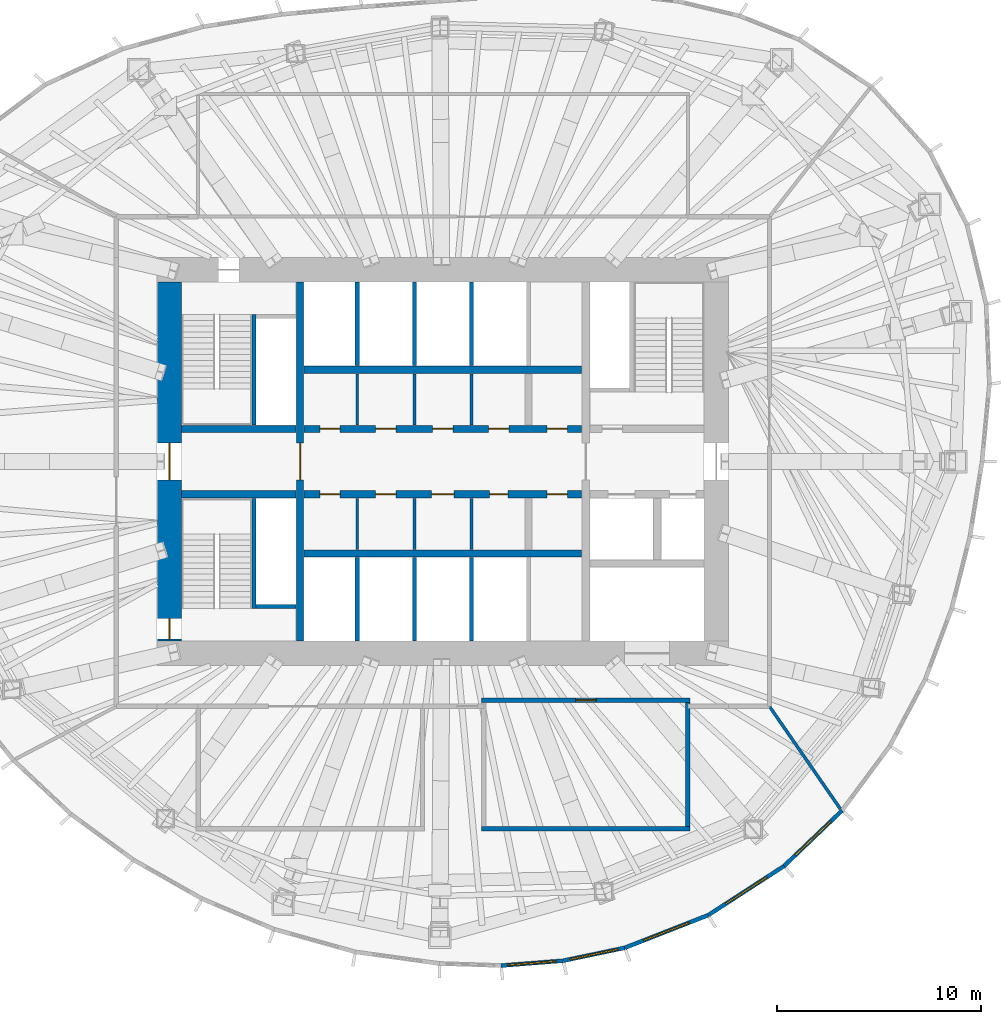
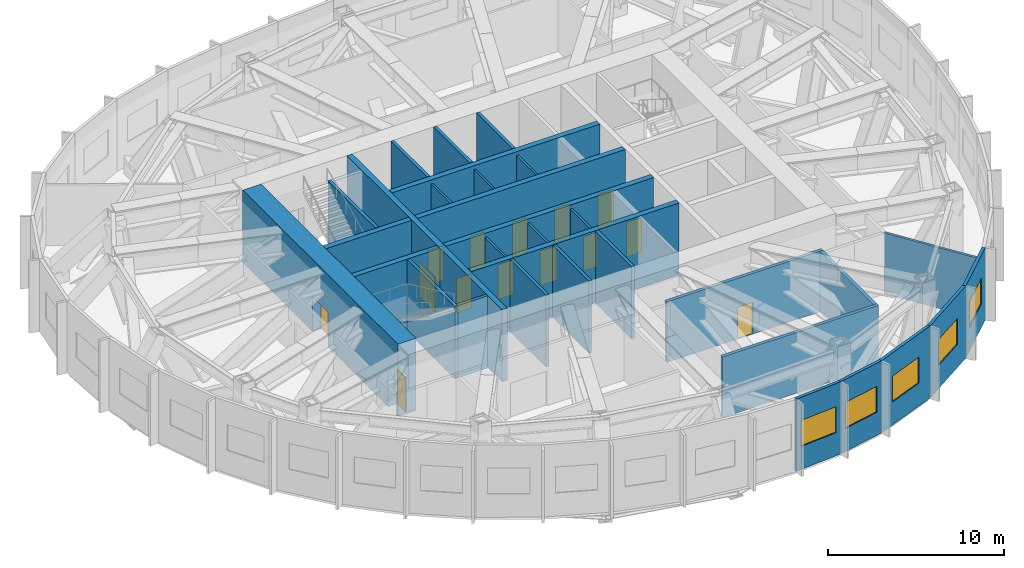
# One storey, part 7 of 11: 32 walls, 14 doors, 5 windows, 19 openings.
"""IFC4 building model written with IfcOpenShell, lengths in metres."""

from ifc_helpers import new_model, si_unit, direction, frame, frame_2d, origin, place, context, subcontext, project, spatial, rectangle, extrude, material, layer, layer_set, type_object, element, fill, save


model = new_model("IFC4")

# Units and contexts
model_context = context("Model", 3, precision=1e-05, world=origin(), true_north=direction((0.0, 1.0)))
body_context = subcontext(model_context, "Body", "Model", "MODEL_VIEW")
ifc_project = project(units=[si_unit("LENGTHUNIT", "METRE"), si_unit("AREAUNIT", "SQUARE_METRE"), si_unit("VOLUMEUNIT", "CUBIC_METRE"), si_unit("PLANEANGLEUNIT", "RADIAN"), si_unit("MASSUNIT", "GRAM", prefix="KILO")], contexts=[model_context])

# Site, building, storey
site_placement = place(None, origin())
site = spatial("IfcSite", under=ifc_project, at=site_placement, CompositionType="ELEMENT")
building_placement = place(site_placement, origin())
building = spatial("IfcBuilding", under=site, at=building_placement, Name="Ghaith Harvest Tower", CompositionType="ELEMENT")
storey_placement = place(building_placement, frame((0.0, 0.0, 266.199951171875)))
storey = spatial("IfcBuildingStorey", under=building, at=storey_placement, Name="L59", CompositionType="ELEMENT", Elevation=266.199951171875)

# Wall
ifc_material_1 = material(Name="Concrete blockwork, 1-hour", Category="masonry")
ifc_layer_1 = layer(ifc_material_1, 0.215087890625)
ifc_layer_set_1 = layer_set([ifc_layer_1], Name="BLOCKWORK WALL 215")
wall_type_1 = type_object("IfcWallType", Name="BLOCKWORK WALL 215", PredefinedType="PARTITIONING", material=ifc_layer_set_1)
wall_1_placement = place(storey_placement, frame((1.892578125, -18.0, 0.0), z_axis=(0.0, 0.0, 1.0), x_axis=(1.0, 0.0, 0.0)))
element("IfcWall", 1, at=wall_1_placement, inside=storey, type_object=wall_type_1, Name="Partition L59-03", PredefinedType="PARTITIONING", context=body_context, shape_type="SweptSolid", body=[
    extrude(rectangle(XDim=10.21484375, YDim=0.215087890625, at=frame_2d((5.107421875, 0.0))), origin(), (0.0, 0.0, 1.0), 4.199951171875),
])

# Wall, opening, door
wall_2_placement = place(storey_placement, frame((1.892578125, -11.699951171875, 0.0), z_axis=(0.0, 0.0, 1.0), x_axis=(1.0, 0.0, 0.0)))
wall_2 = element("IfcWall", 2, at=wall_2_placement, inside=storey, type_object=wall_type_1, Name="Partition L59-03", PredefinedType="PARTITIONING", context=body_context, shape_type="SweptSolid", body=[
    extrude(rectangle(XDim=10.21484375, YDim=0.215087890625, at=frame_2d((5.107421875, 0.0))), origin(), (0.0, 0.0, 1.0), 4.199951171875),
])
opening_1_placement = place(wall_2_placement, frame((4.607421875, 0.0, 0.0)))
opening_1 = element("IfcOpeningElement", 3, at=opening_1_placement, cuts=wall_2, Name="Opening 59-023", PredefinedType="OPENING", context=body_context, shape_type="SweptSolid", body=[
    extrude(rectangle(XDim=1.0, YDim=2.199951171875, at=frame_2d((0.5, 1.10009765625))), frame((0.0, 0.11767578125, 0.0), z_axis=(0.0, -1.0, 0.0), x_axis=(1.0, 0.0, 0.0)), (0.0, 0.0, 1.0), 0.235107421875),
])
ifc_material_2 = material(Name="Timber door", Category="wood")
door_type_1 = type_object("IfcDoorType", Name="D1 SINGLE 1000x2200", OperationType="SINGLE_SWING_LEFT", PredefinedType="DOOR", material=ifc_material_2)
door_1_placement = place(opening_1_placement, origin())
door_1 = element("IfcDoor", 4, at=door_1_placement, inside=storey, type_object=door_type_1, Name="Electrical switch room door", OperationType="SINGLE_SWING_LEFT", OverallHeight=2.199951171875, OverallWidth=1.0, PredefinedType="DOOR", context=body_context, shape_type="SweptSolid", body=[
    extrude(rectangle(XDim=1.0, YDim=2.199951171875, at=frame_2d((0.5, 1.10009765625))), frame((0.0, 0.02490234375, 0.0), z_axis=(0.0, -1.0, 0.0), x_axis=(1.0, 0.0, 0.0)), (0.0, 0.0, 1.0), 0.050048828125),
])
fill(opening_1, door_1)

# Walls
wall_3_placement = place(storey_placement, frame((12.0, -17.892578125, 0.0), z_axis=(0.0, 0.0, 1.0), x_axis=(0.0, 1.0, 0.0)))
element("IfcWall", 5, at=wall_3_placement, inside=storey, type_object=wall_type_1, Name="Partition L59-03", PredefinedType="PARTITIONING", context=body_context, shape_type="SweptSolid", body=[
    extrude(rectangle(XDim=6.0849609375, YDim=0.215087890625, at=frame_2d((3.04248046875, 0.0))), origin(), (0.0, 0.0, 1.0), 4.199951171875),
])
ifc_material_3 = material(Name="Concrete blockwork, fair-faced", Category="masonry")
ifc_layer_2 = layer(ifc_material_3, 0.139892578125)
ifc_layer_set_2 = layer_set([ifc_layer_2], Name="CORE PARTITION 140")
wall_type_2 = type_object("IfcWallType", Name="CORE PARTITION 140", PredefinedType="PARTITIONING", material=ifc_layer_set_2)
for number, where, z_axis, x_axis, name in (
    (6, (-4.199951171875, 1.800048828125, 0.0), (0.0, 0.0, 1.0), (0.0, 1.0, 0.0), "Core partition L59"),
    (7, (-1.39990234375, 1.800048828125, 0.0), (0.0, 0.0, 1.0), (0.0, 1.0, 0.0), "Core partition L59"),
    (8, (1.39990234375, 1.800048828125, 0.0), (0.0, 0.0, 1.0), (0.0, 1.0, 0.0), "Core partition L59"),
    (9, (-4.199951171875, -1.800048828125, 0.0), (0.0, 0.0, 1.0), (0.0, -1.0, 0.0), "Core partition L59"),
    (10, (-1.39990234375, -1.800048828125, 0.0), (0.0, 0.0, 1.0), (0.0, -1.0, 0.0), "Core partition L59"),
    (11, (1.39990234375, -1.800048828125, 0.0), (0.0, 0.0, 1.0), (0.0, -1.0, 0.0), "Core partition L59"),
):
    element("IfcWall", number, at=place(storey_placement, frame(where, z_axis=z_axis, x_axis=x_axis)), inside=storey, type_object=wall_type_2, Name=name, PredefinedType="PARTITIONING", context=body_context, shape_type="SweptSolid", body=[
        extrude(rectangle(XDim=2.5, YDim=0.139892578125, at=frame_2d((1.25, 0.0))), origin(), (0.0, 0.0, 1.0), 4.75),
    ])

# Wall, openings, doors
ifc_material_4 = material(Name="Concrete C60/75", Category="concrete")
ifc_layer_3 = layer(ifc_material_4, 1.199951171875)
ifc_layer_set_3 = layer_set([ifc_layer_3], Name="CORE WALL CW1200 C60")
wall_type_3 = type_object("IfcWallType", Name="CORE WALL CW1200 C60", PredefinedType="SHEAR", material=ifc_layer_set_3)
wall_4_placement = place(storey_placement, frame((-13.39990234375, 8.800048828125, 0.0), z_axis=(0.0, 0.0, 1.0), x_axis=(0.0, -1.0, 0.0)))
wall_4 = element("IfcWall", 12, at=wall_4_placement, inside=storey, type_object=wall_type_3, Name="Core wall W L59", PredefinedType="SHEAR", context=body_context, shape_type="SweptSolid", body=[
    extrude(rectangle(XDim=17.60009765625, YDim=1.199951171875, at=frame_2d((8.800048828125, 0.0))), origin(), (0.0, 0.0, 1.0), 5.0),
])
opening_2_placement = place(wall_4_placement, frame((7.89990234375, 0.0, 0.0)))
opening_2 = element("IfcOpeningElement", 13, at=opening_2_placement, cuts=wall_4, Name="Opening 59-001", PredefinedType="OPENING", context=body_context, shape_type="SweptSolid", body=[
    extrude(rectangle(XDim=1.800048828125, YDim=2.39990234375, at=frame_2d((0.89990234375, 1.199951171875))), frame((0.0, 0.60986328125, 0.0), z_axis=(0.0, -1.0, 0.0), x_axis=(1.0, 0.0, 0.0)), (0.0, 0.0, 1.0), 1.219970703125),
])
opening_3_placement = place(wall_4_placement, frame((16.5, 0.0, 0.0)))
opening_3 = element("IfcOpeningElement", 14, at=opening_3_placement, cuts=wall_4, Name="Opening 59-006", PredefinedType="OPENING", context=body_context, shape_type="SweptSolid", body=[
    extrude(rectangle(XDim=1.0, YDim=2.39990234375, at=frame_2d((0.5, 1.199951171875))), frame((0.0, 0.60986328125, 0.0), z_axis=(0.0, -1.0, 0.0), x_axis=(1.0, 0.0, 0.0)), (0.0, 0.0, 1.0), 1.219970703125),
])
ifc_material_5 = material(Name="Steel fire door", Category="steel")
door_type_2 = type_object("IfcDoorType", Name="D3 FD90 1000x2400", OperationType="SINGLE_SWING_LEFT", PredefinedType="DOOR", material=ifc_material_5)
door_2_placement = place(opening_3_placement, origin())
door_2 = element("IfcDoor", 15, at=door_2_placement, inside=storey, type_object=door_type_2, Name="Stair ST3 door", OperationType="SINGLE_SWING_RIGHT", OverallHeight=2.39990234375, OverallWidth=1.0, PredefinedType="DOOR", context=body_context, shape_type="SweptSolid", body=[
    extrude(rectangle(XDim=1.0, YDim=2.39990234375, at=frame_2d((0.5, 1.199951171875))), frame((0.0, 0.02490234375, 0.0), z_axis=(0.0, -1.0, 0.0), x_axis=(1.0, 0.0, 0.0)), (0.0, 0.0, 1.0), 0.050048828125),
])
fill(opening_3, door_2)
ifc_material_6 = material(Name="Steel fire door", Category="steel")
door_type_3 = type_object("IfcDoorType", Name="D4 FD90 PAIR 1800x2400", OperationType="DOUBLE_DOOR_SINGLE_SWING", PredefinedType="DOOR", material=ifc_material_6)
door_3_placement = place(opening_2_placement, origin())
door_3 = element("IfcDoor", 16, at=door_3_placement, inside=storey, type_object=door_type_3, Name="West lobby doors", OperationType="DOUBLE_DOOR_SINGLE_SWING", OverallHeight=2.39990234375, OverallWidth=1.800048828125, PredefinedType="DOOR", context=body_context, shape_type="SweptSolid", body=[
    extrude(rectangle(XDim=1.800048828125, YDim=2.39990234375, at=frame_2d((0.89990234375, 1.199951171875))), frame((0.0, 0.02490234375, 0.0), z_axis=(0.0, -1.0, 0.0), x_axis=(1.0, 0.0, 0.0)), (0.0, 0.0, 1.0), 0.050048828125),
])
fill(opening_2, door_3)

# Walls
ifc_material_7 = material(Name="Concrete blockwork, 2-hour", Category="masonry")
ifc_layer_4 = layer(ifc_material_7, 0.199951171875)
ifc_layer_set_4 = layer_set([ifc_layer_4], Name="LIFT SHAFT WALL 200")
wall_type_4 = type_object("IfcWallType", Name="LIFT SHAFT WALL 200", PredefinedType="PARTITIONING", material=ifc_layer_set_4)
for number, where, z_axis, x_axis, name in (
    (17, (-4.199951171875, 4.699951171875, 0.0), (0.0, 0.0, 1.0), (0.0, 1.0, 0.0), "Lift shaft wall L59"),
    (18, (-1.39990234375, 4.699951171875, 0.0), (0.0, 0.0, 1.0), (0.0, 1.0, 0.0), "Lift shaft wall L59"),
    (19, (1.39990234375, 4.699951171875, 0.0), (0.0, 0.0, 1.0), (0.0, 1.0, 0.0), "Lift shaft wall L59"),
    (20, (-4.199951171875, -4.699951171875, 0.0), (0.0, 0.0, 1.0), (0.0, -1.0, 0.0), "Lift shaft wall L59"),
    (21, (-1.39990234375, -4.699951171875, 0.0), (0.0, 0.0, 1.0), (0.0, -1.0, 0.0), "Lift shaft wall L59"),
    (22, (1.39990234375, -4.699951171875, 0.0), (0.0, 0.0, 1.0), (0.0, -1.0, 0.0), "Lift shaft wall L59"),
):
    element("IfcWall", number, at=place(storey_placement, frame(where, z_axis=z_axis, x_axis=x_axis)), inside=storey, type_object=wall_type_4, Name=name, PredefinedType="PARTITIONING", context=body_context, shape_type="SweptSolid", body=[
        extrude(rectangle(XDim=4.10009765625, YDim=0.199951171875, at=frame_2d((2.050048828125, 0.0))), origin(), (0.0, 0.0, 1.0), 5.0),
    ])
ifc_material_8 = material(Name="Gypsum board on steel studs", Category="steel")
ifc_layer_5 = layer(ifc_material_8, 0.14990234375)
ifc_layer_set_5 = layer_set([ifc_layer_5], Name="PARTITION 150")
wall_type_5 = type_object("IfcWallType", Name="PARTITION 150", PredefinedType="PARTITIONING", material=ifc_layer_set_5)
wall_5_placement = place(storey_placement, frame((16.011474609375, -12.016357421875, 0.0), z_axis=(0.0, 0.0, 1.0), x_axis=(0.568863489071, -0.822431961199, 0.0)))
element("IfcWall", 23, at=wall_5_placement, inside=storey, type_object=wall_type_5, Name="Partition L59 zone division", PredefinedType="PARTITIONING", context=body_context, shape_type="SweptSolid", body=[
    extrude(rectangle(XDim=6.0830078125, YDim=0.14990234375, at=frame_2d((3.04150390625, 0.0))), origin(), (0.0, 0.0, 1.0), 4.199951171875),
])

# Wall, opening, window
ifc_material_9 = material(Name="Steel, black insulated metal cladding panel", Category="steel")
ifc_layer_6 = layer(ifc_material_9, 0.199951171875)
ifc_layer_set_6 = layer_set([ifc_layer_6], Name="PLANT ENCLOSURE WALL 200")
wall_type_6 = type_object("IfcWallType", Name="PLANT ENCLOSURE WALL 200", PredefinedType="SOLIDWALL", material=ifc_layer_set_6)
wall_6_placement = place(storey_placement, frame((2.845458984375, -24.70166015625, 0.0), z_axis=(0.0, 0.0, 1.0), x_axis=(0.996948637929, 0.078060318541, 0.0)))
wall_6 = element("IfcWall", 24, at=wall_6_placement, inside=storey, type_object=wall_type_6, Name="Plant enclosure wall 16.2 L59", PredefinedType="SOLIDWALL", context=body_context, shape_type="SweptSolid", body=[
    extrude(rectangle(XDim=3.052490234375, YDim=0.199951171875, at=frame_2d((1.5263671875, 0.0))), origin(), (0.0, 0.0, 1.0), 5.0),
])
opening_4_placement = place(wall_6_placement, frame((0.326416015625, 0.0, 1.60009765625)))
opening_4 = element("IfcOpeningElement", 25, at=opening_4_placement, cuts=wall_6, Name="Opening LV1", PredefinedType="OPENING", context=body_context, shape_type="SweptSolid", body=[
    extrude(rectangle(XDim=2.39990234375, YDim=1.800048828125, at=frame_2d((1.199951171875, 0.89990234375))), frame((0.0, 0.10986328125, 0.0), z_axis=(0.0, -1.0, 0.0), x_axis=(1.0, 0.0, 0.0)), (0.0, 0.0, 1.0), 0.219970703125),
])
ifc_material_10 = material(Name="Aluminium louvre, black", Category="aluminium")
window_type = type_object("IfcWindowType", Name="LOUVRE L1 2400x1800", PartitioningType="SINGLE_PANEL", PredefinedType="WINDOW", material=ifc_material_10)
window_1_placement = place(opening_4_placement, origin())
window_1 = element("IfcWindow", 26, at=window_1_placement, inside=storey, type_object=window_type, Name="Plant louvre 16.2 L59", OverallHeight=1.800048828125, OverallWidth=2.39990234375, PartitioningType="SINGLE_PANEL", PredefinedType="WINDOW", context=body_context, shape_type="SweptSolid", body=[
    extrude(rectangle(XDim=2.39990234375, YDim=1.800048828125, at=frame_2d((1.199951171875, 0.89990234375))), frame((0.0, 0.030029296875, 0.0), z_axis=(0.0, -1.0, 0.0), x_axis=(1.0, 0.0, 0.0)), (0.0, 0.0, 1.0), 0.06005859375),
])
fill(opening_4, window_1)

wall_7_placement = place(storey_placement, frame((5.888671875, -24.46337890625, 0.0), z_axis=(0.0, 0.0, 1.0), x_axis=(0.978814230358, 0.204750341753, 0.0)))
wall_7 = element("IfcWall", 27, at=wall_7_placement, inside=storey, type_object=wall_type_6, Name="Plant enclosure wall 16.3 L59", PredefinedType="SOLIDWALL", context=body_context, shape_type="SweptSolid", body=[
    extrude(rectangle(XDim=3.0859375, YDim=0.199951171875, at=frame_2d((1.54296875, 0.0))), origin(), (0.0, 0.0, 1.0), 5.0),
])
opening_5_placement = place(wall_7_placement, frame((0.343017578125, 0.0, 1.60009765625)))
opening_5 = element("IfcOpeningElement", 28, at=opening_5_placement, cuts=wall_7, Name="Opening LV1", PredefinedType="OPENING", context=body_context, shape_type="SweptSolid", body=[
    extrude(rectangle(XDim=2.39990234375, YDim=1.800048828125, at=frame_2d((1.199951171875, 0.89990234375))), frame((0.0, 0.10986328125, 0.0), z_axis=(0.0, -1.0, 0.0), x_axis=(1.0, 0.0, 0.0)), (0.0, 0.0, 1.0), 0.219970703125),
])
window_2_placement = place(opening_5_placement, origin())
window_2 = element("IfcWindow", 29, at=window_2_placement, inside=storey, type_object=window_type, Name="Plant louvre 16.3 L59", OverallHeight=1.800048828125, OverallWidth=2.39990234375, PartitioningType="SINGLE_PANEL", PredefinedType="WINDOW", context=body_context, shape_type="SweptSolid", body=[
    extrude(rectangle(XDim=2.39990234375, YDim=1.800048828125, at=frame_2d((1.199951171875, 0.89990234375))), frame((0.0, 0.030029296875, 0.0), z_axis=(0.0, -1.0, 0.0), x_axis=(1.0, 0.0, 0.0)), (0.0, 0.0, 1.0), 0.06005859375),
])
fill(opening_5, window_2)

wall_8_placement = place(storey_placement, frame((8.9091796875, -23.83154296875, 0.0), z_axis=(0.0, 0.0, 1.0), x_axis=(0.931180451496, 0.364558591658, 0.0)))
wall_8 = element("IfcWall", 30, at=wall_8_placement, inside=storey, type_object=wall_type_6, Name="Plant enclosure wall 17.1 L59", PredefinedType="SOLIDWALL", context=body_context, shape_type="SweptSolid", body=[
    extrude(rectangle(XDim=4.39306640625, YDim=0.199951171875, at=frame_2d((2.196533203125, 0.0))), origin(), (0.0, 0.0, 1.0), 5.0),
])
opening_6_placement = place(wall_8_placement, frame((0.99658203125, 0.0, 1.60009765625)))
opening_6 = element("IfcOpeningElement", 31, at=opening_6_placement, cuts=wall_8, Name="Opening LV1", PredefinedType="OPENING", context=body_context, shape_type="SweptSolid", body=[
    extrude(rectangle(XDim=2.39990234375, YDim=1.800048828125, at=frame_2d((1.199951171875, 0.89990234375))), frame((0.0, 0.10986328125, 0.0), z_axis=(0.0, -1.0, 0.0), x_axis=(1.0, 0.0, 0.0)), (0.0, 0.0, 1.0), 0.219970703125),
])
window_3_placement = place(opening_6_placement, origin())
window_3 = element("IfcWindow", 32, at=window_3_placement, inside=storey, type_object=window_type, Name="Plant louvre 17.1 L59", OverallHeight=1.800048828125, OverallWidth=2.39990234375, PartitioningType="SINGLE_PANEL", PredefinedType="WINDOW", context=body_context, shape_type="SweptSolid", body=[
    extrude(rectangle(XDim=2.39990234375, YDim=1.800048828125, at=frame_2d((1.199951171875, 0.89990234375))), frame((0.0, 0.030029296875, 0.0), z_axis=(0.0, -1.0, 0.0), x_axis=(1.0, 0.0, 0.0)), (0.0, 0.0, 1.0), 0.06005859375),
])
fill(opening_6, window_3)

wall_9_placement = place(storey_placement, frame((13.0, -22.22998046875, 0.0), z_axis=(0.0, 0.0, 1.0), x_axis=(0.839315605131, 0.543644474803, 0.0)))
wall_9 = element("IfcWall", 33, at=wall_9_placement, inside=storey, type_object=wall_type_6, Name="Plant enclosure wall 17.2 L59", PredefinedType="SOLIDWALL", context=body_context, shape_type="SweptSolid", body=[
    extrude(rectangle(XDim=4.427490234375, YDim=0.199951171875, at=frame_2d((2.2138671875, 0.0))), origin(), (0.0, 0.0, 1.0), 5.0),
])
opening_7_placement = place(wall_9_placement, frame((1.013916015625, 0.0, 1.60009765625)))
opening_7 = element("IfcOpeningElement", 34, at=opening_7_placement, cuts=wall_9, Name="Opening LV1", PredefinedType="OPENING", context=body_context, shape_type="SweptSolid", body=[
    extrude(rectangle(XDim=2.39990234375, YDim=1.800048828125, at=frame_2d((1.199951171875, 0.89990234375))), frame((0.0, 0.10986328125, 0.0), z_axis=(0.0, -1.0, 0.0), x_axis=(1.0, 0.0, 0.0)), (0.0, 0.0, 1.0), 0.219970703125),
])
window_4_placement = place(opening_7_placement, origin())
window_4 = element("IfcWindow", 35, at=window_4_placement, inside=storey, type_object=window_type, Name="Plant louvre 17.2 L59", OverallHeight=1.800048828125, OverallWidth=2.39990234375, PartitioningType="SINGLE_PANEL", PredefinedType="WINDOW", context=body_context, shape_type="SweptSolid", body=[
    extrude(rectangle(XDim=2.39990234375, YDim=1.800048828125, at=frame_2d((1.199951171875, 0.89990234375))), frame((0.0, 0.030029296875, 0.0), z_axis=(0.0, -1.0, 0.0), x_axis=(1.0, 0.0, 0.0)), (0.0, 0.0, 1.0), 0.06005859375),
])
fill(opening_7, window_4)

wall_10_placement = place(storey_placement, frame((16.716064453125, -19.822998046875, 0.0), z_axis=(0.0, 0.0, 1.0), x_axis=(0.722508444908, 0.691362095458, 0.0)))
wall_10 = element("IfcWall", 36, at=wall_10_placement, inside=storey, type_object=wall_type_6, Name="Plant enclosure wall 18.1 L59", PredefinedType="SOLIDWALL", context=body_context, shape_type="SweptSolid", body=[
    extrude(rectangle(XDim=3.934814453125, YDim=0.199951171875, at=frame_2d((1.96728515625, 0.0))), origin(), (0.0, 0.0, 1.0), 5.0),
])
opening_8_placement = place(wall_10_placement, frame((0.767333984375, 0.0, 1.60009765625)))
opening_8 = element("IfcOpeningElement", 37, at=opening_8_placement, cuts=wall_10, Name="Opening LV1", PredefinedType="OPENING", context=body_context, shape_type="SweptSolid", body=[
    extrude(rectangle(XDim=2.39990234375, YDim=1.800048828125, at=frame_2d((1.199951171875, 0.89990234375))), frame((0.0, 0.10986328125, 0.0), z_axis=(0.0, -1.0, 0.0), x_axis=(1.0, 0.0, 0.0)), (0.0, 0.0, 1.0), 0.219970703125),
])
window_5_placement = place(opening_8_placement, origin())
window_5 = element("IfcWindow", 38, at=window_5_placement, inside=storey, type_object=window_type, Name="Plant louvre 18.1 L59", OverallHeight=1.800048828125, OverallWidth=2.39990234375, PartitioningType="SINGLE_PANEL", PredefinedType="WINDOW", context=body_context, shape_type="SweptSolid", body=[
    extrude(rectangle(XDim=2.39990234375, YDim=1.800048828125, at=frame_2d((1.199951171875, 0.89990234375))), frame((0.0, 0.030029296875, 0.0), z_axis=(0.0, -1.0, 0.0), x_axis=(1.0, 0.0, 0.0)), (0.0, 0.0, 1.0), 0.06005859375),
])
fill(opening_8, window_5)

# Wall, opening, door
ifc_material_11 = material(Name="Concrete C60/75", Category="concrete")
ifc_layer_7 = layer(ifc_material_11, 0.35009765625)
ifc_layer_set_7 = layer_set([ifc_layer_7], Name="SHAFT WALL 350")
wall_type_7 = type_object("IfcWallType", Name="SHAFT WALL 350", PredefinedType="SHEAR", material=ifc_layer_set_7)
wall_11_placement = place(storey_placement, frame((-7.0, -8.800048828125, 0.0), z_axis=(0.0, 0.0, 1.0), x_axis=(0.0, 1.0, 0.0)))
wall_11 = element("IfcWall", 39, at=wall_11_placement, inside=storey, type_object=wall_type_7, Name="Shaft wall W7W L59", PredefinedType="SHEAR", context=body_context, shape_type="SweptSolid", body=[
    extrude(rectangle(XDim=17.60009765625, YDim=0.35009765625, at=frame_2d((8.800048828125, 0.0))), origin(), (0.0, 0.0, 1.0), 5.0),
])
opening_9_placement = place(wall_11_placement, frame((7.89990234375, 0.0, 0.0)))
opening_9 = element("IfcOpeningElement", 40, at=opening_9_placement, cuts=wall_11, Name="Opening 59-003", PredefinedType="OPENING", context=body_context, shape_type="SweptSolid", body=[
    extrude(rectangle(XDim=1.800048828125, YDim=2.39990234375, at=frame_2d((0.89990234375, 1.199951171875))), frame((0.0, 0.18505859375, 0.0), z_axis=(0.0, -1.0, 0.0), x_axis=(1.0, 0.0, 0.0)), (0.0, 0.0, 1.0), 0.3701171875),
])
door_4_placement = place(opening_9_placement, origin())
door_4 = element("IfcDoor", 41, at=door_4_placement, inside=storey, type_object=door_type_3, Name="Lift lobby doors, west", OperationType="DOUBLE_DOOR_SINGLE_SWING", OverallHeight=2.39990234375, OverallWidth=1.800048828125, PredefinedType="DOOR", context=body_context, shape_type="SweptSolid", body=[
    extrude(rectangle(XDim=1.800048828125, YDim=2.39990234375, at=frame_2d((0.89990234375, 1.199951171875))), frame((0.0, 0.02490234375, 0.0), z_axis=(0.0, -1.0, 0.0), x_axis=(1.0, 0.0, 0.0)), (0.0, 0.0, 1.0), 0.050048828125),
])
fill(opening_9, door_4)

# Wall, openings, doors
wall_12_placement = place(storey_placement, frame((-6.800048828125, 1.60009765625, 0.0), z_axis=(0.0, 0.0, 1.0), x_axis=(1.0, 0.0, 0.0)))
wall_12 = element("IfcWall", 42, at=wall_12_placement, inside=storey, type_object=wall_type_7, Name="Shaft wall LN L59", PredefinedType="SHEAR", context=body_context, shape_type="SweptSolid", body=[
    extrude(rectangle(XDim=13.60009765625, YDim=0.35009765625, at=frame_2d((6.800048828125, 0.0))), origin(), (0.0, 0.0, 1.0), 5.0),
])
opening_10_placement = place(wall_12_placement, frame((0.764892578125, 0.0, 0.0)))
opening_10 = element("IfcOpeningElement", 43, at=opening_10_placement, cuts=wall_12, Name="Opening 59-012", PredefinedType="OPENING", context=body_context, shape_type="SweptSolid", body=[
    extrude(rectangle(XDim=1.0, YDim=2.39990234375, at=frame_2d((0.5, 1.199951171875))), frame((0.0, 0.18505859375, 0.0), z_axis=(0.0, -1.0, 0.0), x_axis=(1.0, 0.0, 0.0)), (0.0, 0.0, 1.0), 0.3701171875),
])
opening_11_placement = place(wall_12_placement, frame((3.5, 0.0, 0.0)))
opening_11 = element("IfcOpeningElement", 44, at=opening_11_placement, cuts=wall_12, Name="Opening 59-013", PredefinedType="OPENING", context=body_context, shape_type="SweptSolid", body=[
    extrude(rectangle(XDim=1.0, YDim=2.39990234375, at=frame_2d((0.5, 1.199951171875))), frame((0.0, 0.18505859375, 0.0), z_axis=(0.0, -1.0, 0.0), x_axis=(1.0, 0.0, 0.0)), (0.0, 0.0, 1.0), 0.3701171875),
])
opening_12_placement = place(wall_12_placement, frame((6.300048828125, 0.0, 0.0)))
opening_12 = element("IfcOpeningElement", 45, at=opening_12_placement, cuts=wall_12, Name="Opening 59-014", PredefinedType="OPENING", context=body_context, shape_type="SweptSolid", body=[
    extrude(rectangle(XDim=1.0, YDim=2.39990234375, at=frame_2d((0.5, 1.199951171875))), frame((0.0, 0.18505859375, 0.0), z_axis=(0.0, -1.0, 0.0), x_axis=(1.0, 0.0, 0.0)), (0.0, 0.0, 1.0), 0.3701171875),
])
opening_13_placement = place(wall_12_placement, frame((9.034912109375, 0.0, 0.0)))
opening_13 = element("IfcOpeningElement", 46, at=opening_13_placement, cuts=wall_12, Name="Opening 59-015", PredefinedType="OPENING", context=body_context, shape_type="SweptSolid", body=[
    extrude(rectangle(XDim=1.0, YDim=2.39990234375, at=frame_2d((0.5, 1.199951171875))), frame((0.0, 0.18505859375, 0.0), z_axis=(0.0, -1.0, 0.0), x_axis=(1.0, 0.0, 0.0)), (0.0, 0.0, 1.0), 0.3701171875),
])
opening_14_placement = place(wall_12_placement, frame((11.89990234375, 0.0, 0.0)))
opening_14 = element("IfcOpeningElement", 47, at=opening_14_placement, cuts=wall_12, Name="Opening 59-016", PredefinedType="OPENING", context=body_context, shape_type="SweptSolid", body=[
    extrude(rectangle(XDim=1.0, YDim=2.39990234375, at=frame_2d((0.5, 1.199951171875))), frame((0.0, 0.18505859375, 0.0), z_axis=(0.0, -1.0, 0.0), x_axis=(1.0, 0.0, 0.0)), (0.0, 0.0, 1.0), 0.3701171875),
])
door_5_placement = place(opening_10_placement, origin())
door_5 = element("IfcDoor", 48, at=door_5_placement, inside=storey, type_object=door_type_2, Name="Electrical room door", OperationType="SINGLE_SWING_LEFT", OverallHeight=2.39990234375, OverallWidth=1.0, PredefinedType="DOOR", context=body_context, shape_type="SweptSolid", body=[
    extrude(rectangle(XDim=1.0, YDim=2.39990234375, at=frame_2d((0.5, 1.199951171875))), frame((0.0, 0.02490234375, 0.0), z_axis=(0.0, -1.0, 0.0), x_axis=(1.0, 0.0, 0.0)), (0.0, 0.0, 1.0), 0.050048828125),
])
fill(opening_10, door_5)
door_6_placement = place(opening_11_placement, origin())
door_6 = element("IfcDoor", 49, at=door_6_placement, inside=storey, type_object=door_type_2, Name="Communications equipment room door", OperationType="SINGLE_SWING_LEFT", OverallHeight=2.39990234375, OverallWidth=1.0, PredefinedType="DOOR", context=body_context, shape_type="SweptSolid", body=[
    extrude(rectangle(XDim=1.0, YDim=2.39990234375, at=frame_2d((0.5, 1.199951171875))), frame((0.0, 0.02490234375, 0.0), z_axis=(0.0, -1.0, 0.0), x_axis=(1.0, 0.0, 0.0)), (0.0, 0.0, 1.0), 0.050048828125),
])
fill(opening_11, door_6)
door_7_placement = place(opening_12_placement, origin())
door_7 = element("IfcDoor", 50, at=door_7_placement, inside=storey, type_object=door_type_2, Name="Mechanical plant room door", OperationType="SINGLE_SWING_LEFT", OverallHeight=2.39990234375, OverallWidth=1.0, PredefinedType="DOOR", context=body_context, shape_type="SweptSolid", body=[
    extrude(rectangle(XDim=1.0, YDim=2.39990234375, at=frame_2d((0.5, 1.199951171875))), frame((0.0, 0.02490234375, 0.0), z_axis=(0.0, -1.0, 0.0), x_axis=(1.0, 0.0, 0.0)), (0.0, 0.0, 1.0), 0.050048828125),
])
fill(opening_12, door_7)
door_8_placement = place(opening_13_placement, origin())
door_8 = element("IfcDoor", 51, at=door_8_placement, inside=storey, type_object=door_type_2, Name="Electrical switch room door", OperationType="SINGLE_SWING_RIGHT", OverallHeight=2.39990234375, OverallWidth=1.0, PredefinedType="DOOR", context=body_context, shape_type="SweptSolid", body=[
    extrude(rectangle(XDim=1.0, YDim=2.39990234375, at=frame_2d((0.5, 1.199951171875))), frame((0.0, 0.02490234375, 0.0), z_axis=(0.0, -1.0, 0.0), x_axis=(1.0, 0.0, 0.0)), (0.0, 0.0, 1.0), 0.050048828125),
])
fill(opening_13, door_8)
door_9_placement = place(opening_14_placement, origin())
door_9 = element("IfcDoor", 52, at=door_9_placement, inside=storey, type_object=door_type_2, Name="Mechanical plant room door", OperationType="SINGLE_SWING_RIGHT", OverallHeight=2.39990234375, OverallWidth=1.0, PredefinedType="DOOR", context=body_context, shape_type="SweptSolid", body=[
    extrude(rectangle(XDim=1.0, YDim=2.39990234375, at=frame_2d((0.5, 1.199951171875))), frame((0.0, 0.02490234375, 0.0), z_axis=(0.0, -1.0, 0.0), x_axis=(1.0, 0.0, 0.0)), (0.0, 0.0, 1.0), 0.050048828125),
])
fill(opening_14, door_9)

wall_13_placement = place(storey_placement, frame((-6.800048828125, -1.60009765625, 0.0), z_axis=(0.0, 0.0, 1.0), x_axis=(1.0, 0.0, 0.0)))
wall_13 = element("IfcWall", 53, at=wall_13_placement, inside=storey, type_object=wall_type_7, Name="Shaft wall LS L59", PredefinedType="SHEAR", context=body_context, shape_type="SweptSolid", body=[
    extrude(rectangle(XDim=13.60009765625, YDim=0.35009765625, at=frame_2d((6.800048828125, 0.0))), origin(), (0.0, 0.0, 1.0), 5.0),
])
opening_15_placement = place(wall_13_placement, frame((0.764892578125, 0.0, 0.0)))
opening_15 = element("IfcOpeningElement", 54, at=opening_15_placement, cuts=wall_13, Name="Opening 59-008", PredefinedType="OPENING", context=body_context, shape_type="SweptSolid", body=[
    extrude(rectangle(XDim=1.0, YDim=2.39990234375, at=frame_2d((0.5, 1.199951171875))), frame((0.0, 0.18505859375, 0.0), z_axis=(0.0, -1.0, 0.0), x_axis=(1.0, 0.0, 0.0)), (0.0, 0.0, 1.0), 0.3701171875),
])
opening_16_placement = place(wall_13_placement, frame((3.5, 0.0, 0.0)))
opening_16 = element("IfcOpeningElement", 55, at=opening_16_placement, cuts=wall_13, Name="Opening 59-009", PredefinedType="OPENING", context=body_context, shape_type="SweptSolid", body=[
    extrude(rectangle(XDim=1.0, YDim=2.39990234375, at=frame_2d((0.5, 1.199951171875))), frame((0.0, 0.18505859375, 0.0), z_axis=(0.0, -1.0, 0.0), x_axis=(1.0, 0.0, 0.0)), (0.0, 0.0, 1.0), 0.3701171875),
])
opening_17_placement = place(wall_13_placement, frame((6.25, 0.0, 0.0)))
opening_17 = element("IfcOpeningElement", 56, at=opening_17_placement, cuts=wall_13, Name="Opening 59-010", PredefinedType="OPENING", context=body_context, shape_type="SweptSolid", body=[
    extrude(rectangle(XDim=1.10009765625, YDim=2.39990234375, at=frame_2d((0.550048828125, 1.199951171875))), frame((0.0, 0.18505859375, 0.0), z_axis=(0.0, -1.0, 0.0), x_axis=(1.0, 0.0, 0.0)), (0.0, 0.0, 1.0), 0.3701171875),
])
opening_18_placement = place(wall_13_placement, frame((9.0849609375, 0.0, 0.0)))
opening_18 = element("IfcOpeningElement", 57, at=opening_18_placement, cuts=wall_13, Name="Opening 59-011", PredefinedType="OPENING", context=body_context, shape_type="SweptSolid", body=[
    extrude(rectangle(XDim=0.89990234375, YDim=2.39990234375, at=frame_2d((0.449951171875, 1.199951171875))), frame((0.0, 0.18505859375, 0.0), z_axis=(0.0, -1.0, 0.0), x_axis=(1.0, 0.0, 0.0)), (0.0, 0.0, 1.0), 0.3701171875),
])
opening_19_placement = place(wall_13_placement, frame((11.89990234375, 0.0, 0.0)))
opening_19 = element("IfcOpeningElement", 58, at=opening_19_placement, cuts=wall_13, Name="Opening 59-017", PredefinedType="OPENING", context=body_context, shape_type="SweptSolid", body=[
    extrude(rectangle(XDim=1.0, YDim=2.39990234375, at=frame_2d((0.5, 1.199951171875))), frame((0.0, 0.18505859375, 0.0), z_axis=(0.0, -1.0, 0.0), x_axis=(1.0, 0.0, 0.0)), (0.0, 0.0, 1.0), 0.3701171875),
])
door_10_placement = place(opening_15_placement, origin())
door_10 = element("IfcDoor", 59, at=door_10_placement, inside=storey, type_object=door_type_2, Name="Male WC door", OperationType="SINGLE_SWING_LEFT", OverallHeight=2.39990234375, OverallWidth=1.0, PredefinedType="DOOR", context=body_context, shape_type="SweptSolid", body=[
    extrude(rectangle(XDim=1.0, YDim=2.39990234375, at=frame_2d((0.5, 1.199951171875))), frame((0.0, 0.02490234375, 0.0), z_axis=(0.0, -1.0, 0.0), x_axis=(1.0, 0.0, 0.0)), (0.0, 0.0, 1.0), 0.050048828125),
])
fill(opening_15, door_10)
door_11_placement = place(opening_16_placement, origin())
door_11 = element("IfcDoor", 60, at=door_11_placement, inside=storey, type_object=door_type_2, Name="Female WC door", OperationType="SINGLE_SWING_LEFT", OverallHeight=2.39990234375, OverallWidth=1.0, PredefinedType="DOOR", context=body_context, shape_type="SweptSolid", body=[
    extrude(rectangle(XDim=1.0, YDim=2.39990234375, at=frame_2d((0.5, 1.199951171875))), frame((0.0, 0.02490234375, 0.0), z_axis=(0.0, -1.0, 0.0), x_axis=(1.0, 0.0, 0.0)), (0.0, 0.0, 1.0), 0.050048828125),
])
fill(opening_16, door_11)
door_12_placement = place(opening_19_placement, origin())
door_12 = element("IfcDoor", 61, at=door_12_placement, inside=storey, type_object=door_type_2, Name="Mechanical plant room door", OperationType="SINGLE_SWING_RIGHT", OverallHeight=2.39990234375, OverallWidth=1.0, PredefinedType="DOOR", context=body_context, shape_type="SweptSolid", body=[
    extrude(rectangle(XDim=1.0, YDim=2.39990234375, at=frame_2d((0.5, 1.199951171875))), frame((0.0, 0.02490234375, 0.0), z_axis=(0.0, -1.0, 0.0), x_axis=(1.0, 0.0, 0.0)), (0.0, 0.0, 1.0), 0.050048828125),
])
fill(opening_19, door_12)
ifc_material_12 = material(Name="Steel fire door", Category="steel")
door_type_4 = type_object("IfcDoorType", Name="D5 FD90 900x2400", OperationType="SINGLE_SWING_LEFT", PredefinedType="DOOR", material=ifc_material_12)
door_13_placement = place(opening_18_placement, origin())
door_13 = element("IfcDoor", 62, at=door_13_placement, inside=storey, type_object=door_type_4, Name="Cleaner's store door", OperationType="SINGLE_SWING_RIGHT", OverallHeight=2.39990234375, OverallWidth=0.89990234375, PredefinedType="DOOR", context=body_context, shape_type="SweptSolid", body=[
    extrude(rectangle(XDim=0.89990234375, YDim=2.39990234375, at=frame_2d((0.449951171875, 1.199951171875))), frame((0.0, 0.02490234375, 0.0), z_axis=(0.0, -1.0, 0.0), x_axis=(1.0, 0.0, 0.0)), (0.0, 0.0, 1.0), 0.050048828125),
])
fill(opening_18, door_13)
ifc_material_13 = material(Name="Steel fire door", Category="steel")
door_type_5 = type_object("IfcDoorType", Name="D9 FD90 1100x2400", OperationType="SINGLE_SWING_LEFT", PredefinedType="DOOR", material=ifc_material_13)
door_14_placement = place(opening_17_placement, origin())
door_14 = element("IfcDoor", 63, at=door_14_placement, inside=storey, type_object=door_type_5, Name="Accessible WC door", OperationType="SINGLE_SWING_LEFT", OverallHeight=2.39990234375, OverallWidth=1.10009765625, PredefinedType="DOOR", context=body_context, shape_type="SweptSolid", body=[
    extrude(rectangle(XDim=1.10009765625, YDim=2.39990234375, at=frame_2d((0.550048828125, 1.199951171875))), frame((0.0, 0.02490234375, 0.0), z_axis=(0.0, -1.0, 0.0), x_axis=(1.0, 0.0, 0.0)), (0.0, 0.0, 1.0), 0.050048828125),
])
fill(opening_17, door_14)

# Walls
for number, where, z_axis, x_axis, name in (
    (64, (-6.800048828125, 4.5, 0.0), (0.0, 0.0, 1.0), (1.0, 0.0, 0.0), "Shaft wall BN L59"),
    (65, (-6.800048828125, -4.5, 0.0), (0.0, 0.0, 1.0), (1.0, 0.0, 0.0), "Shaft wall BS L59"),
):
    element("IfcWall", number, at=place(storey_placement, frame(where, z_axis=z_axis, x_axis=x_axis)), inside=storey, type_object=wall_type_7, Name=name, PredefinedType="SHEAR", context=body_context, shape_type="SweptSolid", body=[
        extrude(rectangle(XDim=13.60009765625, YDim=0.35009765625, at=frame_2d((6.800048828125, 0.0))), origin(), (0.0, 0.0, 1.0), 5.0),
    ])
for number, where, z_axis, x_axis, name in (
    (66, (-12.800048828125, 1.60009765625, 0.0), (0.0, 0.0, 1.0), (1.0, 0.0, 0.0), "Shaft wall WN L59"),
    (67, (-12.800048828125, -1.60009765625, 0.0), (0.0, 0.0, 1.0), (1.0, 0.0, 0.0), "Shaft wall WS L59"),
):
    element("IfcWall", number, at=place(storey_placement, frame(where, z_axis=z_axis, x_axis=x_axis)), inside=storey, type_object=wall_type_7, Name=name, PredefinedType="SHEAR", context=body_context, shape_type="SweptSolid", body=[
        extrude(rectangle(XDim=5.60009765625, YDim=0.35009765625, at=frame_2d((2.800048828125, 0.0))), origin(), (0.0, 0.0, 1.0), 5.0),
    ])
ifc_material_14 = material(Name="Concrete C40/50", Category="concrete")
ifc_layer_8 = layer(ifc_material_14, 0.199951171875)
ifc_layer_set_8 = layer_set([ifc_layer_8], Name="STAIR SPINE WALL RC200")
wall_type_8 = type_object("IfcWallType", Name="STAIR SPINE WALL RC200", PredefinedType="SOLIDWALL", material=ifc_layer_set_8)
for number, where, z_axis, x_axis, name in (
    (68, (-9.25, 7.199951171875, 0.0), (0.0, 0.0, 1.0), (0.0, -1.0, 0.0), "Stair ST1 spine wall L59"),
    (69, (-9.25, -7.199951171875, 0.0), (0.0, 0.0, 1.0), (0.0, 1.0, 0.0), "Stair ST3 spine wall L59"),
):
    element("IfcWall", number, at=place(storey_placement, frame(where, z_axis=z_axis, x_axis=x_axis)), inside=storey, type_object=wall_type_8, Name=name, PredefinedType="SOLIDWALL", context=body_context, shape_type="SweptSolid", body=[
        extrude(rectangle(XDim=5.39990234375, YDim=0.199951171875, at=frame_2d((2.699951171875, 0.0))), origin(), (0.0, 0.0, 1.0), 5.0),
    ])
wall_14_placement = place(storey_placement, frame((-9.14990234375, -7.10009765625, 0.0), z_axis=(0.0, 0.0, 1.0), x_axis=(1.0, 0.0, 0.0)))
element("IfcWall", 70, at=wall_14_placement, inside=storey, type_object=wall_type_8, Name="Stair ST3 spine wall return L59", PredefinedType="SOLIDWALL", context=body_context, shape_type="SweptSolid", body=[
    extrude(rectangle(XDim=1.949951171875, YDim=0.199951171875, at=frame_2d((0.97509765625, 0.0))), origin(), (0.0, 0.0, 1.0), 5.0),
])

save(model, "model.ifc")
